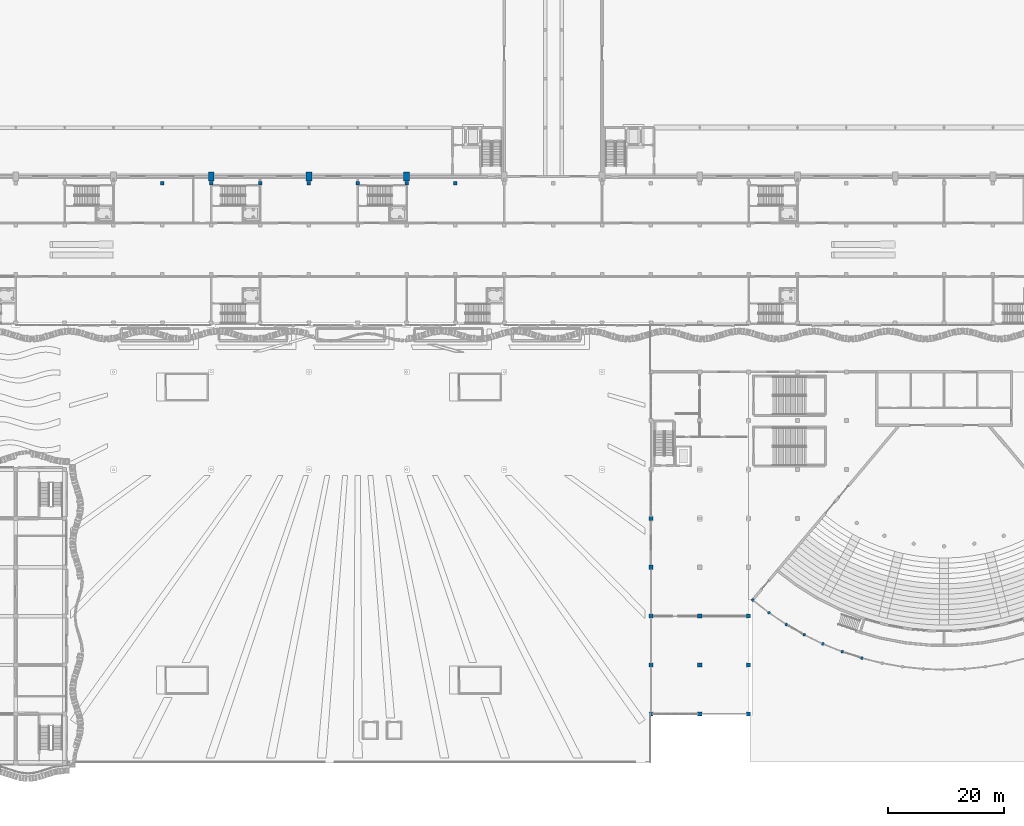
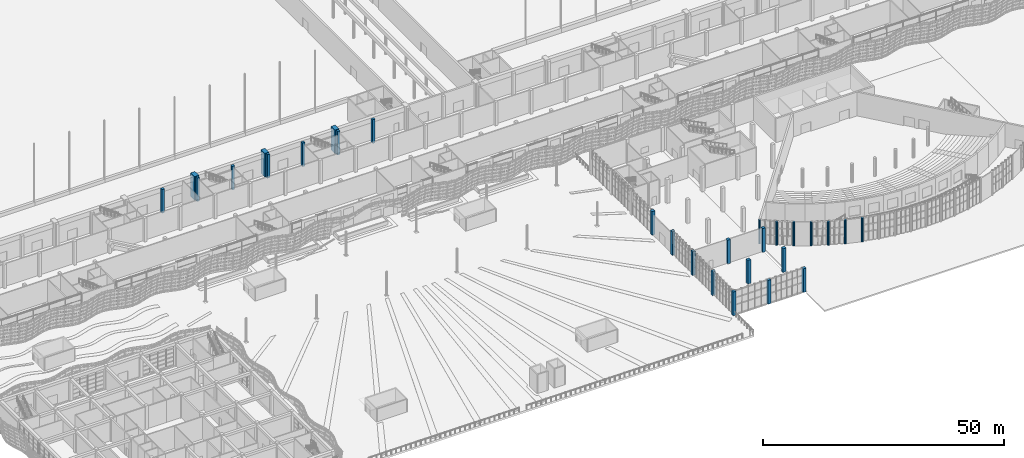
# One storey, part 13 of 210: 28 columns.
"""IFC4 building model written with IfcOpenShell, lengths in metres."""

from ifc_helpers import new_model, si_unit, direction, frame, origin, origin_2d, place, context, subcontext, project, spatial, rectangle, circle, extrude, material, material_profile, profile_set, type_object, element, save


model = new_model("IFC4")

# Units and contexts
model_context = context("Model", 3, precision=1e-05, world=origin(), true_north=direction((0.0, 1.0)))
body_context = subcontext(model_context, "Body", "Model", "MODEL_VIEW")
ifc_project = project(units=[si_unit("LENGTHUNIT", "METRE"), si_unit("AREAUNIT", "SQUARE_METRE"), si_unit("VOLUMEUNIT", "CUBIC_METRE"), si_unit("PLANEANGLEUNIT", "RADIAN"), si_unit("MASSUNIT", "GRAM", prefix="KILO")], contexts=[model_context])

# Site, building, storey
site_placement = place(None, origin())
site = spatial("IfcSite", under=ifc_project, at=site_placement, CompositionType="ELEMENT")
building_placement = place(site_placement, origin())
building = spatial("IfcBuilding", under=site, at=building_placement, Name="Rain Tree Exposition and Congress Centre", CompositionType="ELEMENT")
storey_placement = place(building_placement, origin())
storey = spatial("IfcBuildingStorey", under=building, at=storey_placement, Name="L00", CompositionType="ELEMENT", Elevation=0.0)

# Columns
ifc_material_1 = material(Name="Precast concrete C50/60", Category="concrete")
ifc_material_profile_1 = material_profile(ifc_material_1, rectangle(XDim=1.0, YDim=1.60009765625, at=origin_2d()), Name="RC 1000x1600")
ifc_profile_set_1 = profile_set([ifc_material_profile_1], Name="Precast concrete C50/60")
column_type_1 = type_object("IfcColumnType", Name="Precast column 1000x1600", PredefinedType="COLUMN", material=ifc_profile_set_1)
for number, where, z_axis, x_axis, name in (
    (1, (75.60009765625, 100.800048828125, 0.0), (0.0, 0.0, 1.0), (1.0, 0.0, 0.0), "Expressed column 5"),
    (2, (92.39990234375, 100.800048828125, 0.0), (0.0, 0.0, 1.0), (1.0, 0.0, 0.0), "Expressed column 6"),
    (3, (109.199951171875, 100.800048828125, 0.0), (0.0, 0.0, 1.0), (1.0, 0.0, 0.0), "Expressed column 7"),
):
    element("IfcColumn", number, at=place(storey_placement, frame(where, z_axis=z_axis, x_axis=x_axis)), inside=storey, type_object=column_type_1, Name=name, PredefinedType="COLUMN", context=body_context, shape_type="SweptSolid", body=[
        extrude(rectangle(XDim=1.0, YDim=1.60009765625, at=origin_2d()), origin(), (0.0, 0.0, 1.0), 6.0),
    ])
ifc_material_2 = material(Name="Precast concrete C50/60", Category="concrete")
ifc_material_profile_2 = material_profile(ifc_material_2, rectangle(XDim=0.60009765625, YDim=0.60009765625, at=origin_2d()), Name="RC 600x600")
ifc_profile_set_2 = profile_set([ifc_material_profile_2], Name="Precast concrete C50/60")
column_type_2 = type_object("IfcColumnType", Name="Precast column 600x600", PredefinedType="COLUMN", material=ifc_profile_set_2)
for number, where, z_axis, x_axis, name in (
    (4, (67.199951171875, 99.60009765625, 0.0), (0.0, 0.0, 1.0), (1.0, 0.0, 0.0), "Concourse column L00 D9"),
    (5, (75.60009765625, 99.60009765625, 0.0), (0.0, 0.0, 1.0), (1.0, 0.0, 0.0), "Concourse column L00 D10"),
    (6, (84.0, 99.60009765625, 0.0), (0.0, 0.0, 1.0), (1.0, 0.0, 0.0), "Concourse column L00 D11"),
    (7, (92.39990234375, 99.60009765625, 0.0), (0.0, 0.0, 1.0), (1.0, 0.0, 0.0), "Concourse column L00 D12"),
    (8, (100.800048828125, 99.60009765625, 0.0), (0.0, 0.0, 1.0), (1.0, 0.0, 0.0), "Concourse column L00 D13"),
    (9, (109.199951171875, 99.60009765625, 0.0), (0.0, 0.0, 1.0), (1.0, 0.0, 0.0), "Concourse column L00 D14"),
    (10, (117.60009765625, 99.60009765625, 0.0), (0.0, 0.0, 1.0), (1.0, 0.0, 0.0), "Concourse column L00 D15"),
):
    element("IfcColumn", number, at=place(storey_placement, frame(where, z_axis=z_axis, x_axis=x_axis)), inside=storey, type_object=column_type_2, Name=name, PredefinedType="COLUMN", context=body_context, shape_type="SweptSolid", body=[
        extrude(rectangle(XDim=0.60009765625, YDim=0.60009765625, at=origin_2d()), origin(), (0.0, 0.0, 1.0), 6.0),
    ])
ifc_material_3 = material(Name="Precast concrete C50/60", Category="concrete")
ifc_material_profile_3 = material_profile(ifc_material_3, rectangle(XDim=0.699951171875, YDim=0.699951171875, at=origin_2d()), Name="RC 700x700")
ifc_profile_set_3 = profile_set([ifc_material_profile_3], Name="Precast concrete C50/60")
column_type_3 = type_object("IfcColumnType", Name="Precast column 700x700", PredefinedType="COLUMN", material=ifc_profile_set_3)
for number, where, z_axis, x_axis, name in (
    (11, (151.199951171875, 8.39990234375, 0.0), (0.0, 0.0, 1.0), (1.0, 0.0, 0.0), "CF151.2-8.4"),
    (12, (151.199951171875, 16.800048828125, 0.0), (0.0, 0.0, 1.0), (1.0, 0.0, 0.0), "CF151.2-16.8"),
    (13, (151.199951171875, 25.199951171875, 0.0), (0.0, 0.0, 1.0), (1.0, 0.0, 0.0), "CF151.2-25.2"),
    (14, (151.199951171875, 33.60009765625, 0.0), (0.0, 0.0, 1.0), (1.0, 0.0, 0.0), "CF151.2-33.6"),
    (15, (151.199951171875, 42.0, 0.0), (0.0, 0.0, 1.0), (1.0, 0.0, 0.0), "CF151.2-42"),
    (16, (159.60009765625, 8.39990234375, 0.0), (0.0, 0.0, 1.0), (1.0, 0.0, 0.0), "CF159.6-8.4"),
    (17, (159.60009765625, 16.800048828125, 0.0), (0.0, 0.0, 1.0), (1.0, 0.0, 0.0), "CF159.6-16.8"),
    (18, (159.60009765625, 25.199951171875, 0.0), (0.0, 0.0, 1.0), (1.0, 0.0, 0.0), "CF159.6-25.2"),
    (19, (168.0, 8.39990234375, 0.0), (0.0, 0.0, 1.0), (1.0, 0.0, 0.0), "CF168-8.4"),
    (20, (168.0, 16.800048828125, 0.0), (0.0, 0.0, 1.0), (1.0, 0.0, 0.0), "CF168-16.8"),
    (21, (168.0, 25.199951171875, 0.0), (0.0, 0.0, 1.0), (1.0, 0.0, 0.0), "CF168-25.2"),
):
    element("IfcColumn", number, at=place(storey_placement, frame(where, z_axis=z_axis, x_axis=x_axis)), inside=storey, type_object=column_type_3, Name=name, PredefinedType="COLUMN", context=body_context, shape_type="SweptSolid", body=[
        extrude(rectangle(XDim=0.699951171875, YDim=0.699951171875, at=origin_2d()), origin(), (0.0, 0.0, 1.0), 6.0),
    ])
ifc_material_4 = material(Name="Precast concrete C50/60", Category="concrete")
ifc_material_profile_4 = material_profile(ifc_material_4, circle(Radius=0.25, at=origin_2d()), Name="RC D500")
ifc_profile_set_4 = profile_set([ifc_material_profile_4], Name="Precast concrete C50/60")
column_type_4 = type_object("IfcColumnType", Name="Precast round column 500", PredefinedType="COLUMN", material=ifc_profile_set_4)
for number, where, z_axis, x_axis, name in (
    (22, (168.689208984375, 27.978515625, 0.0), (0.0, 0.0, 1.0), (1.0, 0.0, 0.0), "CA1"),
    (23, (171.50537109375, 25.7783203125, 0.0), (0.0, 0.0, 1.0), (1.0, 0.0, 0.0), "CA2"),
    (24, (174.468017578125, 23.77978515625, 0.0), (0.0, 0.0, 1.0), (1.0, 0.0, 0.0), "CA3"),
    (25, (177.56298828125, 21.9931640625, 0.0), (0.0, 0.0, 1.0), (1.0, 0.0, 0.0), "CA4"),
    (26, (180.775146484375, 20.426513671875, 0.0), (0.0, 0.0, 1.0), (1.0, 0.0, 0.0), "CA5"),
    (27, (184.088623046875, 19.087646484375, 0.0), (0.0, 0.0, 1.0), (1.0, 0.0, 0.0), "CA6"),
    (28, (187.4873046875, 17.9833984375, 0.0), (0.0, 0.0, 1.0), (1.0, 0.0, 0.0), "CA7"),
):
    element("IfcColumn", number, at=place(storey_placement, frame(where, z_axis=z_axis, x_axis=x_axis)), inside=storey, type_object=column_type_4, Name=name, PredefinedType="COLUMN", context=body_context, shape_type="SweptSolid", body=[
        extrude(circle(Radius=0.25, at=origin_2d()), origin(), (0.0, 0.0, 1.0), 6.0),
    ])

save(model, "model.ifc")
